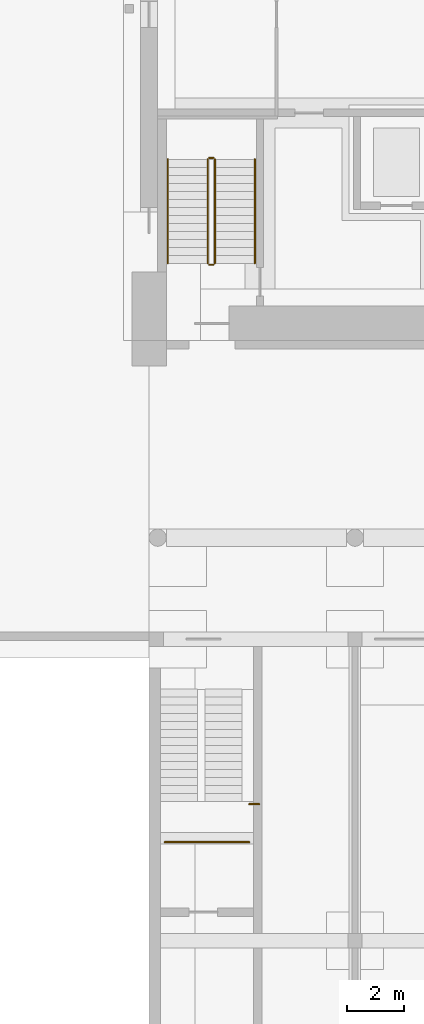
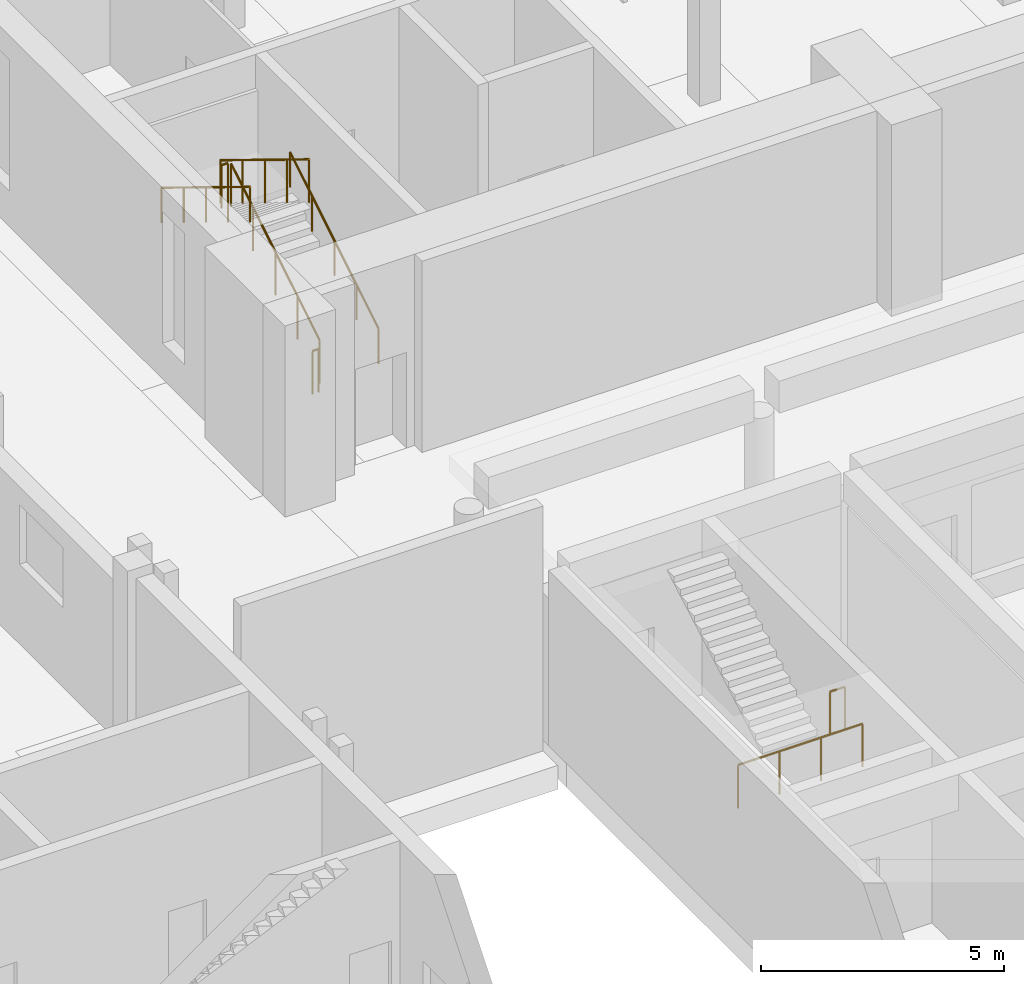
# One storey, part 62 of 73: 8 railings.
"""IFC4 building model written with IfcOpenShell, lengths in metres."""

from ifc_helpers import new_model, si_unit, direction, frame, origin, origin_2d, place, context, subcontext, project, spatial, circle, extrude, material, type_object, element, save


model = new_model("IFC4")

# Units and contexts
model_context = context("Model", 3, precision=1e-05, world=origin(), true_north=direction((0.0, 1.0)))
body_context = subcontext(model_context, "Body", "Model", "MODEL_VIEW")
ifc_project = project(units=[si_unit("LENGTHUNIT", "METRE"), si_unit("AREAUNIT", "SQUARE_METRE"), si_unit("VOLUMEUNIT", "CUBIC_METRE"), si_unit("PLANEANGLEUNIT", "RADIAN"), si_unit("MASSUNIT", "GRAM", prefix="KILO")], contexts=[model_context])

# Site, building, storey
site_placement = place(None, origin())
site = spatial("IfcSite", under=ifc_project, at=site_placement, CompositionType="ELEMENT")
building_placement = place(site_placement, origin())
building = spatial("IfcBuilding", under=site, at=building_placement, Name="Alderwick Market Hall", CompositionType="ELEMENT")
storey_placement = place(building_placement, origin())
storey = spatial("IfcBuildingStorey", under=building, at=storey_placement, Name="LG", CompositionType="ELEMENT", Elevation=0.0)

# Railings
ifc_material_1 = material(Name="Steel ASTM A500 Grade C", Category="steel")
railing_type_1 = type_object("IfcRailingType", Name="A Roof Guard 1100", PredefinedType="GUARDRAIL", material=ifc_material_1)
railing_1_placement = place(storey_placement, frame((50.949951171875, 32.25, 2.39990234375)))
element("IfcRailing", 1, at=railing_1_placement, inside=storey, type_object=railing_type_1, Name="Stair guard", PredefinedType="GUARDRAIL", context=body_context, shape_type="SweptSolid", body=[
    extrude(circle(Radius=0.02392578125, at=origin_2d()), frame((0.0, 0.0, 1.076171875), z_axis=(1.0, 0.0, 0.0), x_axis=(0.0, 1.0, 0.0)), (0.0, 0.0, 1.0), 2.949951171875),
    extrude(circle(Radius=0.02099609375, at=origin_2d()), origin(), (0.0, 0.0, 1.0), 1.052001953125),
    extrude(circle(Radius=0.02099609375, at=origin_2d()), frame((0.9833984375, 0.0, 0.0)), (0.0, 0.0, 1.0), 1.052001953125),
    extrude(circle(Radius=0.02099609375, at=origin_2d()), frame((1.966552734375, 0.0, 0.0)), (0.0, 0.0, 1.0), 1.052001953125),
    extrude(circle(Radius=0.02099609375, at=origin_2d()), frame((2.949951171875, 0.0, 0.0)), (0.0, 0.0, 1.0), 1.052001953125),
])
railing_2_placement = place(storey_placement, frame((54.25, 33.580078125, 2.39990234375)))
element("IfcRailing", 2, at=railing_2_placement, inside=storey, type_object=railing_type_1, Name="Stair guard", PredefinedType="GUARDRAIL", context=body_context, shape_type="SweptSolid", body=[
    extrude(circle(Radius=0.02392578125, at=origin_2d()), frame((0.0, 0.0, 1.076171875), z_axis=(-1.0, 0.0, 0.0), x_axis=(0.0, -1.0, 0.0)), (0.0, 0.0, 1.0), 0.35009765625),
    extrude(circle(Radius=0.02099609375, at=origin_2d()), origin(), (0.0, 0.0, 1.0), 1.052001953125),
    extrude(circle(Radius=0.02099609375, at=origin_2d()), frame((-0.35009765625, 0.0, 0.0)), (0.0, 0.0, 1.0), 1.052001953125),
])
ifc_material_2 = material(Name="Steel, painted", Category="steel")
railing_type_2 = type_object("IfcRailingType", Name="H Guard 1100", PredefinedType="GUARDRAIL", material=ifc_material_2)
railing_3_placement = place(storey_placement, frame((52.699951171875, 52.5, 0.17138671875)))
element("IfcRailing", 3, at=railing_3_placement, inside=storey, type_object=railing_type_2, Name="LG H-SW stair guard 1", PredefinedType="GUARDRAIL", context=body_context, shape_type="SweptSolid", body=[
    extrude(circle(Radius=0.02392578125, at=origin_2d()), frame((0.0, 0.0, 1.076171875), z_axis=(0.0, 0.852850264322, 0.5221555579), x_axis=(-1.0, 0.0, 0.0)), (0.0, 0.0, 1.0), 4.267822265625),
    extrude(circle(Radius=0.02099609375, at=origin_2d()), origin(), (0.0, 0.0, 1.0), 1.052001953125),
    extrude(circle(Radius=0.02099609375, at=origin_2d()), frame((0.0, 0.909912109375, 0.55712890625)), (0.0, 0.0, 1.0), 1.052001953125),
    extrude(circle(Radius=0.02099609375, at=origin_2d()), frame((0.0, 1.81982421875, 1.1142578125)), (0.0, 0.0, 1.0), 1.052001953125),
    extrude(circle(Radius=0.02099609375, at=origin_2d()), frame((0.0, 2.72998046875, 1.67138671875)), (0.0, 0.0, 1.0), 1.052001953125),
    extrude(circle(Radius=0.02099609375, at=origin_2d()), frame((0.0, 3.639892578125, 2.228515625)), (0.0, 0.0, 1.0), 1.052001953125),
])
railing_4_placement = place(storey_placement, frame((52.64990234375, 56.18994140625, 2.39990234375)))
element("IfcRailing", 4, at=railing_4_placement, inside=storey, type_object=railing_type_2, Name="LG H-SW stair guard 2", PredefinedType="GUARDRAIL", context=body_context, shape_type="SweptSolid", body=[
    extrude(circle(Radius=0.02392578125, at=origin_2d()), frame((0.0, 0.0, 1.076171875), z_axis=(-1.0, 0.0, 0.0), x_axis=(0.0, -1.0, 0.0)), (0.0, 0.0, 1.0), 0.14990234375),
    extrude(circle(Radius=0.02099609375, at=origin_2d()), origin(), (0.0, 0.0, 1.0), 1.052001953125),
    extrude(circle(Radius=0.02099609375, at=origin_2d()), frame((-0.14990234375, 0.0, 0.0)), (0.0, 0.0, 1.0), 1.052001953125),
])
railing_5_placement = place(storey_placement, frame((52.449951171875, 56.139892578125, 2.571533203125)))
element("IfcRailing", 5, at=railing_5_placement, inside=storey, type_object=railing_type_2, Name="LG H-SW stair guard 3", PredefinedType="GUARDRAIL", context=body_context, shape_type="SweptSolid", body=[
    extrude(circle(Radius=0.02392578125, at=origin_2d()), frame((0.0, 0.0, 1.076171875), z_axis=(0.0, -0.852850264322, 0.5221555579), x_axis=(1.0, 0.0, 0.0)), (0.0, 0.0, 1.0), 4.267822265625),
    extrude(circle(Radius=0.02099609375, at=origin_2d()), origin(), (0.0, 0.0, 1.0), 1.052001953125),
    extrude(circle(Radius=0.02099609375, at=origin_2d()), frame((0.0, -0.909912109375, 0.55712890625)), (0.0, 0.0, 1.0), 1.052001953125),
    extrude(circle(Radius=0.02099609375, at=origin_2d()), frame((0.0, -1.81982421875, 1.1142578125)), (0.0, 0.0, 1.0), 1.052001953125),
    extrude(circle(Radius=0.02099609375, at=origin_2d()), frame((0.0, -2.72998046875, 1.67138671875)), (0.0, 0.0, 1.0), 1.052001953125),
    extrude(circle(Radius=0.02099609375, at=origin_2d()), frame((0.0, -3.639892578125, 2.228515625)), (0.0, 0.0, 1.0), 1.052001953125),
])
railing_6_placement = place(storey_placement, frame((52.64990234375, 52.449951171875, 0.0)))
element("IfcRailing", 6, at=railing_6_placement, inside=storey, type_object=railing_type_2, Name="LG H-SW stair guard 4", PredefinedType="GUARDRAIL", context=body_context, shape_type="SweptSolid", body=[
    extrude(circle(Radius=0.02392578125, at=origin_2d()), frame((0.0, 0.0, 1.076171875), z_axis=(-1.0, 0.0, 0.0), x_axis=(0.0, -1.0, 0.0)), (0.0, 0.0, 1.0), 0.14990234375),
    extrude(circle(Radius=0.02099609375, at=origin_2d()), origin(), (0.0, 0.0, 1.0), 1.052001953125),
    extrude(circle(Radius=0.02099609375, at=origin_2d()), frame((-0.14990234375, 0.0, 0.0)), (0.0, 0.0, 1.0), 1.052001953125),
])
railing_type_3 = type_object("IfcRailingType", Name="H Handrail 900", PredefinedType="HANDRAIL", material=ifc_material_2)
railing_7_placement = place(storey_placement, frame((54.10009765625, 52.5, 0.17138671875)))
element("IfcRailing", 7, at=railing_7_placement, inside=storey, type_object=railing_type_3, Name="LG H-SW stair handrail 1", PredefinedType="HANDRAIL", context=body_context, shape_type="SweptSolid", body=[
    extrude(circle(Radius=0.02392578125, at=origin_2d()), frame((0.0, 0.0, 0.8759765625), z_axis=(0.0, 0.852850264322, 0.5221555579), x_axis=(-1.0, 0.0, 0.0)), (0.0, 0.0, 1.0), 4.267822265625),
    extrude(circle(Radius=0.02099609375, at=origin_2d()), origin(), (0.0, 0.0, 1.0), 0.851806640625),
    extrude(circle(Radius=0.02099609375, at=origin_2d()), frame((0.0, 0.909912109375, 0.55712890625)), (0.0, 0.0, 1.0), 0.851806640625),
    extrude(circle(Radius=0.02099609375, at=origin_2d()), frame((0.0, 1.81982421875, 1.1142578125)), (0.0, 0.0, 1.0), 0.851806640625),
    extrude(circle(Radius=0.02099609375, at=origin_2d()), frame((0.0, 2.72998046875, 1.67138671875)), (0.0, 0.0, 1.0), 0.851806640625),
    extrude(circle(Radius=0.02099609375, at=origin_2d()), frame((0.0, 3.639892578125, 2.228515625)), (0.0, 0.0, 1.0), 0.851806640625),
])
railing_8_placement = place(storey_placement, frame((51.050048828125, 56.139892578125, 2.571533203125)))
element("IfcRailing", 8, at=railing_8_placement, inside=storey, type_object=railing_type_3, Name="LG H-SW stair handrail 2", PredefinedType="HANDRAIL", context=body_context, shape_type="SweptSolid", body=[
    extrude(circle(Radius=0.02392578125, at=origin_2d()), frame((0.0, 0.0, 0.8759765625), z_axis=(0.0, -0.852850264322, 0.5221555579), x_axis=(1.0, 0.0, 0.0)), (0.0, 0.0, 1.0), 4.267822265625),
    extrude(circle(Radius=0.02099609375, at=origin_2d()), origin(), (0.0, 0.0, 1.0), 0.851806640625),
    extrude(circle(Radius=0.02099609375, at=origin_2d()), frame((0.0, -0.909912109375, 0.55712890625)), (0.0, 0.0, 1.0), 0.851806640625),
    extrude(circle(Radius=0.02099609375, at=origin_2d()), frame((0.0, -1.81982421875, 1.1142578125)), (0.0, 0.0, 1.0), 0.851806640625),
    extrude(circle(Radius=0.02099609375, at=origin_2d()), frame((0.0, -2.72998046875, 1.67138671875)), (0.0, 0.0, 1.0), 0.851806640625),
    extrude(circle(Radius=0.02099609375, at=origin_2d()), frame((0.0, -3.639892578125, 2.228515625)), (0.0, 0.0, 1.0), 0.851806640625),
])

save(model, "model.ifc")
